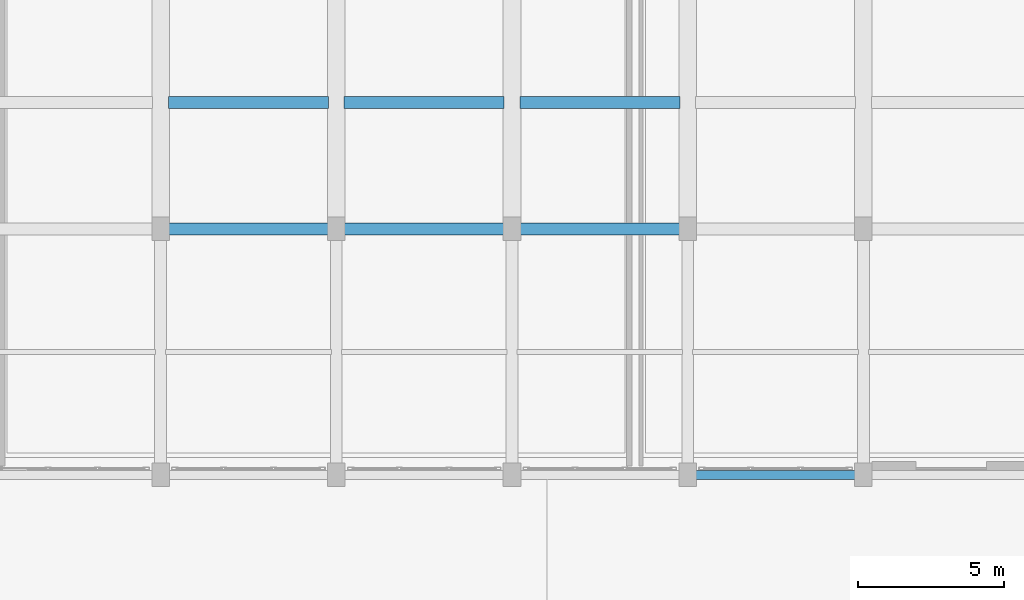
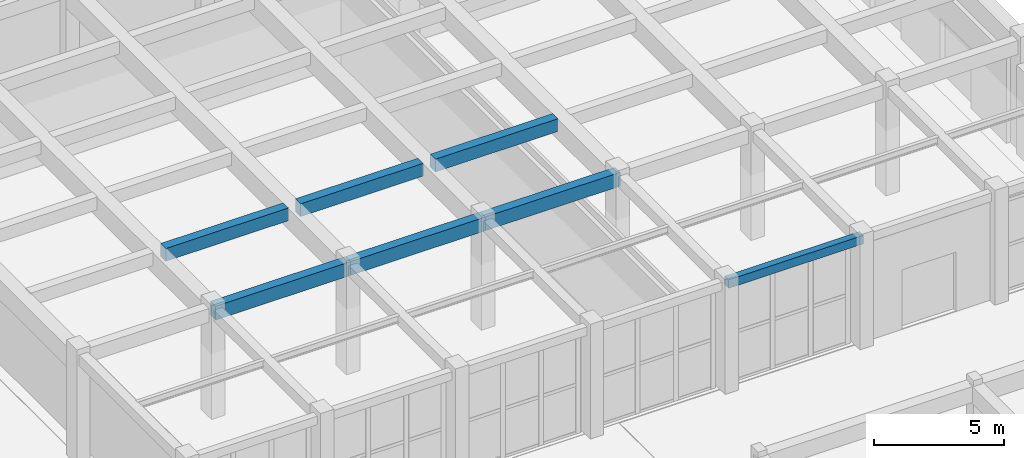
# One storey, part 48 of 98: 7 beams.
"""IFC4 building model written with IfcOpenShell, lengths in metres."""

from ifc_helpers import new_model, si_unit, direction, frame, origin, origin_2d, place, context, subcontext, project, spatial, rectangle, extrude, material, material_profile, profile_set, type_object, element, save


model = new_model("IFC4")

# Units and contexts
model_context = context("Model", 3, precision=1e-05, world=origin(), true_north=direction((0.0, 1.0)))
body_context = subcontext(model_context, "Body", "Model", "MODEL_VIEW")
ifc_project = project(units=[si_unit("LENGTHUNIT", "METRE"), si_unit("AREAUNIT", "SQUARE_METRE"), si_unit("VOLUMEUNIT", "CUBIC_METRE"), si_unit("PLANEANGLEUNIT", "RADIAN"), si_unit("MASSUNIT", "GRAM", prefix="KILO")], contexts=[model_context])

# Site, building, storey
site_placement = place(None, origin())
site = spatial("IfcSite", under=ifc_project, at=site_placement, CompositionType="ELEMENT")
building_placement = place(site_placement, origin())
building = spatial("IfcBuilding", under=site, at=building_placement, Name="Tarnavel Promenade Courthouse", CompositionType="ELEMENT")
storey_placement = place(building_placement, origin())
storey = spatial("IfcBuildingStorey", under=building, at=storey_placement, Name="L01", CompositionType="ELEMENT", Elevation=0.0)

# Beams
ifc_material = material(Name="Concrete C40/50", Category="concrete")
ifc_material_profile_1 = material_profile(ifc_material, rectangle(XDim=0.39990234375, YDim=0.60009765625, at=origin_2d()), Name="PT 400x600")
ifc_profile_set_1 = profile_set([ifc_material_profile_1], Name="Concrete C40/50")
beam_type_1 = type_object("IfcBeamType", Name="Concrete C40/50 BM-PT-400x600 (PT 400x600)", PredefinedType="JOIST", material=ifc_profile_set_1)
for number, where, z_axis, x_axis, name in (
    (1, (126.27001953125, 41.52001953125, 4.8349609375), (1.0, 0.0, 0.0), (0.0, 1.0, 0.0), "L01 Secondary Floor Rib 1022"),
    (2, (132.27001953125, 41.52001953125, 4.8349609375), (1.0, 0.0, 0.0), (0.0, 1.0, 0.0), "L01 Secondary Floor Rib 1026"),
    (3, (138.27001953125, 41.52001953125, 4.8349609375), (1.0, 0.0, 0.0), (0.0, 1.0, 0.0), "L01 Secondary Floor Rib 1030"),
):
    element("IfcBeam", number, at=place(storey_placement, frame(where, z_axis=z_axis, x_axis=x_axis)), inside=storey, type_object=beam_type_1, Name=name, PredefinedType="JOIST", context=body_context, shape_type="SweptSolid", body=[
        extrude(rectangle(XDim=0.39990234375, YDim=0.60009765625, at=origin_2d()), origin(), (0.0, 0.0, 1.0), 5.4599609375),
    ])
ifc_material_profile_2 = material_profile(ifc_material, rectangle(XDim=0.39990234375, YDim=0.64990234375, at=origin_2d()), Name="RC 400x650")
ifc_profile_set_2 = profile_set([ifc_material_profile_2], Name="Concrete C40/50")
beam_type_2 = type_object("IfcBeamType", Name="Concrete C40/50 BM-RC-400x650 (RC 400x650)", PredefinedType="BEAM", material=ifc_profile_set_2)
for number, where, z_axis, x_axis, name in (
    (4, (126.0, 37.199951171875, 4.81005859375), (1.0, 0.0, 0.0), (0.0, 1.0, 0.0), "L01 Primary Longitudinal Beam 0610"),
    (5, (132.0, 37.199951171875, 4.81005859375), (1.0, 0.0, 0.0), (0.0, 1.0, 0.0), "L01 Primary Longitudinal Beam 0611"),
    (6, (138.0, 37.199951171875, 4.81005859375), (1.0, 0.0, 0.0), (0.0, 1.0, 0.0), "L01 Primary Longitudinal Beam 0612"),
):
    element("IfcBeam", number, at=place(storey_placement, frame(where, z_axis=z_axis, x_axis=x_axis)), inside=storey, type_object=beam_type_2, Name=name, PredefinedType="BEAM", context=body_context, shape_type="SweptSolid", body=[
        extrude(rectangle(XDim=0.39990234375, YDim=0.64990234375, at=origin_2d()), origin(), (0.0, 0.0, 1.0), 6.0),
    ])
ifc_material_profile_3 = material_profile(ifc_material, rectangle(XDim=0.300048828125, YDim=0.39990234375, at=origin_2d()), Name="RC 300x400")
ifc_profile_set_3 = profile_set([ifc_material_profile_3], Name="Concrete C40/50")
beam_type_3 = type_object("IfcBeamType", Name="Concrete C40/50 BM-SP-300x400 (RC 300x400)", PredefinedType="SPANDREL", material=ifc_profile_set_3)
beam_placement = place(storey_placement, frame((144.0, 28.800048828125, 4.93505859375), z_axis=(1.0, 0.0, 0.0), x_axis=(0.0, 1.0, 0.0)))
element("IfcBeam", 7, at=beam_placement, inside=storey, type_object=beam_type_3, Name="L01 Primary Longitudinal Beam 0595", PredefinedType="SPANDREL", context=body_context, shape_type="SweptSolid", body=[
    extrude(rectangle(XDim=0.300048828125, YDim=0.39990234375, at=origin_2d()), origin(), (0.0, 0.0, 1.0), 6.0),
])

save(model, "model.ifc")
